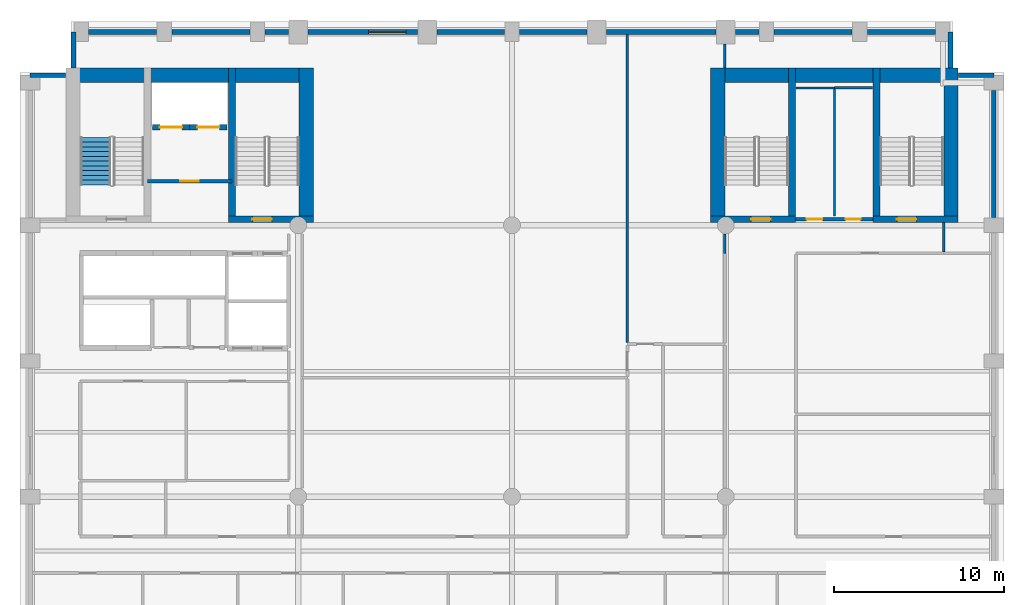
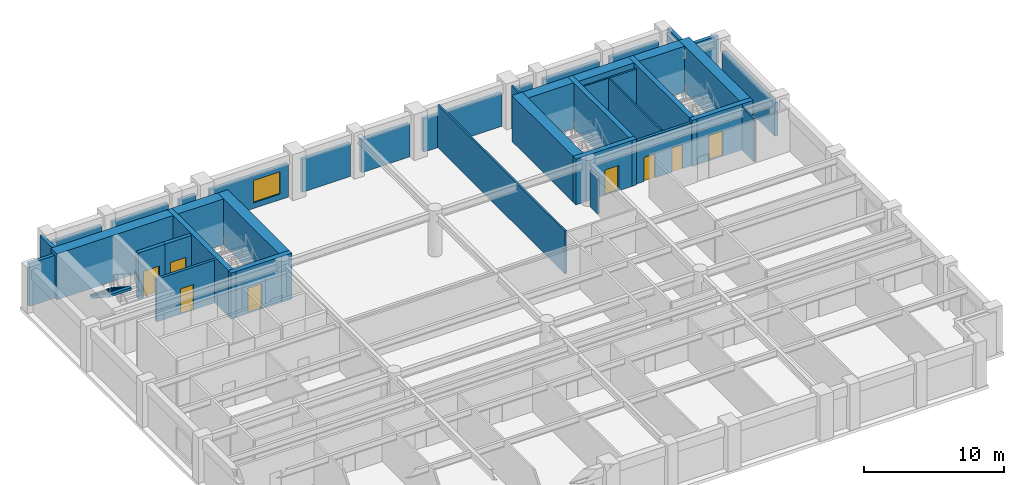
# One storey, part 5 of 8: 37 walls, 8 doors, 1 stair flight, 1 window, 9 openings, 1 element without a shape of its own.
"""IFC4 building model written with IfcOpenShell, lengths in metres."""

from ifc_helpers import new_model, si_unit, direction, frame, frame_2d, origin, place, context, subcontext, project, spatial, polyline, rectangle, outline, extrude, material, layer, layer_set, type_object, element, fill, aggregate, save


model = new_model("IFC4")

# Units and contexts
model_context = context("Model", 3, precision=1e-05, world=origin(), true_north=direction((0.0, 1.0)))
body_context = subcontext(model_context, "Body", "Model", "MODEL_VIEW")
ifc_project = project(units=[si_unit("LENGTHUNIT", "METRE"), si_unit("AREAUNIT", "SQUARE_METRE"), si_unit("VOLUMEUNIT", "CUBIC_METRE"), si_unit("PLANEANGLEUNIT", "RADIAN"), si_unit("MASSUNIT", "GRAM", prefix="KILO")], contexts=[model_context])

# Site, building, storey
site_placement = place(None, origin())
site = spatial("IfcSite", under=ifc_project, at=site_placement, CompositionType="ELEMENT")
building_placement = place(site_placement, origin())
building = spatial("IfcBuilding", under=site, at=building_placement, Name="Sulina Concourse Tower", CompositionType="ELEMENT")
storey_placement = place(building_placement, frame((0.0, 0.0, 148.60009765625)))
storey = spatial("IfcBuildingStorey", under=building, at=storey_placement, Name="L36", CompositionType="ELEMENT", Elevation=148.60009765625)

# Wall, opening, door
ifc_material_1 = material(Name="Concrete C50/60", Category="concrete")
ifc_layer_1 = layer(ifc_material_1, 0.300048828125)
ifc_layer_set_1 = layer_set([ifc_layer_1], Name="Concrete C50/60")
wall_type_1 = type_object("IfcWallType", Name="Core Lift Hoistway Wall 300mm", PredefinedType="SOLIDWALL", material=ifc_layer_set_1)
wall_1_placement = place(storey_placement, frame((10.0, 39.780029296875, 0.0), z_axis=(0.0, 0.0, 1.0), x_axis=(-1.0, 0.0, 0.0)))
wall_1 = element("IfcWall", 1, at=wall_1_placement, inside=storey, type_object=wall_type_1, Name="L36 hoistway enclosure wall FFL-1", PredefinedType="SOLIDWALL", context=body_context, shape_type="SweptSolid", body=[
    extrude(rectangle(XDim=2.199951171875, YDim=0.300048828125, at=frame_2d((1.10009765625, 0.0))), origin(), (0.0, 0.0, 1.0), 4.0),
])
opening_1_placement = place(wall_1_placement, frame((0.449951171875, 0.0, 0.0)))
opening_1 = element("IfcOpeningElement", 2, at=opening_1_placement, cuts=wall_1, Name="Opening LD-02", PredefinedType="OPENING", context=body_context, shape_type="SweptSolid", body=[
    extrude(rectangle(XDim=1.300048828125, YDim=2.25, at=frame_2d((0.64990234375, 1.125))), frame((0.0, 0.159912109375, 0.0), z_axis=(0.0, -1.0, 0.0), x_axis=(1.0, 0.0, 0.0)), (0.0, 0.0, 1.0), 0.320068359375),
])
ifc_material_2 = material(Name="Stainless steel lift landing door", Category="steel")
ifc_layer_2 = layer(ifc_material_2, 0.050048828125)
ifc_layer_set_2 = layer_set([ifc_layer_2], Name="Stainless steel lift landing door")
door_type_1 = type_object("IfcDoorType", Name="Firefighting Lift Sliding Landing Door 1300x2250", OperationType="SLIDING_TO_RIGHT", PredefinedType="DOOR", material=ifc_layer_set_2)
door_1_placement = place(opening_1_placement, origin())
door_1 = element("IfcDoor", 3, at=door_1_placement, inside=storey, type_object=door_type_1, Name="L36 lift landing sliding door FFL-1", OperationType="SLIDING_TO_LEFT", OverallHeight=2.25, OverallWidth=1.300048828125, PredefinedType="DOOR", context=body_context, shape_type="SweptSolid", body=[
    extrude(rectangle(XDim=1.300048828125, YDim=2.25, at=frame_2d((0.64990234375, 1.125))), frame((0.0, 0.02490234375, 0.0), z_axis=(0.0, -1.0, 0.0), x_axis=(1.0, 0.0, 0.0)), (0.0, 0.0, 1.0), 0.050048828125),
])
fill(opening_1, door_1)

wall_2_placement = place(storey_placement, frame((12.199951171875, 39.780029296875, 0.0), z_axis=(0.0, 0.0, 1.0), x_axis=(-1.0, 0.0, 0.0)))
wall_2 = element("IfcWall", 4, at=wall_2_placement, inside=storey, type_object=wall_type_1, Name="L36 hoistway enclosure wall FFL-2", PredefinedType="SOLIDWALL", context=body_context, shape_type="SweptSolid", body=[
    extrude(rectangle(XDim=2.199951171875, YDim=0.300048828125, at=frame_2d((1.10009765625, 0.0))), origin(), (0.0, 0.0, 1.0), 4.0),
])
opening_2_placement = place(wall_2_placement, frame((0.449951171875, 0.0, 0.0)))
opening_2 = element("IfcOpeningElement", 5, at=opening_2_placement, cuts=wall_2, Name="Opening LD-02", PredefinedType="OPENING", context=body_context, shape_type="SweptSolid", body=[
    extrude(rectangle(XDim=1.300048828125, YDim=2.25, at=frame_2d((0.64990234375, 1.125))), frame((0.0, 0.159912109375, 0.0), z_axis=(0.0, -1.0, 0.0), x_axis=(1.0, 0.0, 0.0)), (0.0, 0.0, 1.0), 0.320068359375),
])
door_2_placement = place(opening_2_placement, origin())
door_2 = element("IfcDoor", 6, at=door_2_placement, inside=storey, type_object=door_type_1, Name="L36 lift landing sliding door FFL-2", OperationType="SLIDING_TO_RIGHT", OverallHeight=2.25, OverallWidth=1.300048828125, PredefinedType="DOOR", context=body_context, shape_type="SweptSolid", body=[
    extrude(rectangle(XDim=1.300048828125, YDim=2.25, at=frame_2d((0.64990234375, 1.125))), frame((0.0, 0.02490234375, 0.0), z_axis=(0.0, -1.0, 0.0), x_axis=(1.0, 0.0, 0.0)), (0.0, 0.0, 1.0), 0.050048828125),
])
fill(opening_2, door_2)

ifc_material_3 = material(Name="Gypsum board on steel stud", Category="steel")
ifc_layer_3 = layer(ifc_material_3, 0.219970703125)
ifc_layer_set_3 = layer_set([ifc_layer_3], Name="Gypsum board on steel stud")
wall_type_2 = type_object("IfcWallType", Name="Fire-Rated Lobby & Compartment Wall 220mm", PredefinedType="PARTITIONING", material=ifc_layer_set_3)
wall_3_placement = place(storey_placement, frame((7.510009765625, 36.60009765625, 0.0), z_axis=(0.0, 0.0, 1.0), x_axis=(1.0, 0.0, 0.0)))
wall_3 = element("IfcWall", 7, at=wall_3_placement, inside=storey, type_object=wall_type_2, Name="L36 firefighting lobby south fire wall", PredefinedType="PARTITIONING", context=body_context, shape_type="SweptSolid", body=[
    extrude(rectangle(XDim=4.97998046875, YDim=0.219970703125, at=frame_2d((2.489990234375, 0.0))), origin(), (0.0, 0.0, 1.0), 3.724853515625),
])
opening_3_placement = place(wall_3_placement, frame((1.93994140625, 0.0, 0.0)))
opening_3 = element("IfcOpeningElement", 8, at=opening_3_placement, cuts=wall_3, Name="Opening DR-47", PredefinedType="OPENING", context=body_context, shape_type="SweptSolid", body=[
    extrude(rectangle(XDim=1.10009765625, YDim=2.199951171875, at=frame_2d((0.550048828125, 1.10009765625))), frame((0.0, 0.119873046875, 0.0), z_axis=(0.0, -1.0, 0.0), x_axis=(1.0, 0.0, 0.0)), (0.0, 0.0, 1.0), 0.239990234375),
])
ifc_material_4 = material(Name="Galvanised steel acoustic fire leaf", Category="steel")
ifc_layer_4 = layer(ifc_material_4, 0.054931640625)
ifc_layer_set_4 = layer_set([ifc_layer_4], Name="Galvanised steel acoustic fire leaf")
door_type_2 = type_object("IfcDoorType", Name="Firefighting Lobby Fire Door 1100x2200", OperationType="NOTDEFINED", PredefinedType="DOOR", material=ifc_layer_set_4)
door_3_placement = place(opening_3_placement, origin())
door_3 = element("IfcDoor", 9, at=door_3_placement, inside=storey, type_object=door_type_2, Name="L36 firefighting lobby fire door", OperationType="SINGLE_SWING_LEFT", OverallHeight=2.199951171875, OverallWidth=1.10009765625, PredefinedType="DOOR", context=body_context, shape_type="SweptSolid", body=[
    extrude(rectangle(XDim=1.10009765625, YDim=2.199951171875, at=frame_2d((0.550048828125, 1.10009765625))), frame((0.0, 0.02490234375, 0.0), z_axis=(0.0, -1.0, 0.0), x_axis=(1.0, 0.0, 0.0)), (0.0, 0.0, 1.0), 0.050048828125),
])
fill(opening_3, door_3)

# Wall, openings, doors
wall_4_placement = place(storey_placement, frame((45.719970703125, 34.35009765625, 0.0), z_axis=(0.0, 0.0, 1.0), x_axis=(1.0, 0.0, 0.0)))
wall_4 = element("IfcWall", 10, at=wall_4_placement, inside=storey, type_object=wall_type_2, Name="L36 east core south lobby wall", PredefinedType="PARTITIONING", context=body_context, shape_type="SweptSolid", body=[
    extrude(rectangle(XDim=4.56005859375, YDim=0.219970703125, at=frame_2d((2.280029296875, 0.0))), origin(), (0.0, 0.0, 1.0), 3.724853515625),
])
opening_4_placement = place(wall_4_placement, frame((0.64990234375, 0.0, 0.0)))
opening_4 = element("IfcOpeningElement", 11, at=opening_4_placement, cuts=wall_4, Name="Opening DR-61", PredefinedType="OPENING", context=body_context, shape_type="SweptSolid", body=[
    extrude(rectangle(XDim=0.919921875, YDim=2.10009765625, at=frame_2d((0.4599609375, 1.050048828125))), frame((0.0, 0.119873046875, 0.0), z_axis=(0.0, -1.0, 0.0), x_axis=(1.0, 0.0, 0.0)), (0.0, 0.0, 1.0), 0.239990234375),
])
opening_5_placement = place(wall_4_placement, frame((2.949951171875, 0.0, 0.0)))
opening_5 = element("IfcOpeningElement", 12, at=opening_5_placement, cuts=wall_4, Name="Opening DR-38", PredefinedType="OPENING", context=body_context, shape_type="SweptSolid", body=[
    extrude(rectangle(XDim=0.8798828125, YDim=2.10009765625, at=frame_2d((0.43994140625, 1.050048828125))), frame((0.0, 0.119873046875, 0.0), z_axis=(0.0, -1.0, 0.0), x_axis=(1.0, 0.0, 0.0)), (0.0, 0.0, 1.0), 0.239990234375),
])
ifc_material_5 = material(Name="Oak-veneered fire door leaf")
ifc_layer_5 = layer(ifc_material_5, 0.050048828125)
ifc_layer_set_5 = layer_set([ifc_layer_5], Name="Oak-veneered fire door leaf")
door_type_3 = type_object("IfcDoorType", Name="Accessible WC Door 920x2100", OperationType="NOTDEFINED", PredefinedType="DOOR", material=ifc_layer_set_5)
door_4_placement = place(opening_4_placement, origin())
door_4 = element("IfcDoor", 13, at=door_4_placement, inside=storey, type_object=door_type_3, Name="L36 east core accessible wc door", OperationType="SINGLE_SWING_LEFT", OverallHeight=2.10009765625, OverallWidth=0.919921875, PredefinedType="DOOR", context=body_context, shape_type="SweptSolid", body=[
    extrude(rectangle(XDim=0.919921875, YDim=2.10009765625, at=frame_2d((0.4599609375, 1.050048828125))), frame((0.0, 0.02490234375, 0.0), z_axis=(0.0, -1.0, 0.0), x_axis=(1.0, 0.0, 0.0)), (0.0, 0.0, 1.0), 0.050048828125),
])
fill(opening_4, door_4)
ifc_material_6 = material(Name="Galvanised steel acoustic fire leaf", Category="steel")
ifc_layer_6 = layer(ifc_material_6, 0.050048828125)
ifc_layer_set_6 = layer_set([ifc_layer_6], Name="Galvanised steel acoustic fire leaf")
door_type_4 = type_object("IfcDoorType", Name="Service Riser Fire Door 880x2100", OperationType="NOTDEFINED", PredefinedType="DOOR", material=ifc_layer_set_6)
door_5_placement = place(opening_5_placement, origin())
door_5 = element("IfcDoor", 14, at=door_5_placement, inside=storey, type_object=door_type_4, Name="L36 east core store door", OperationType="SINGLE_SWING_RIGHT", OverallHeight=2.10009765625, OverallWidth=0.8798828125, PredefinedType="DOOR", context=body_context, shape_type="SweptSolid", body=[
    extrude(rectangle(XDim=0.8798828125, YDim=2.10009765625, at=frame_2d((0.43994140625, 1.050048828125))), frame((0.0, 0.02490234375, 0.0), z_axis=(0.0, -1.0, 0.0), x_axis=(1.0, 0.0, 0.0)), (0.0, 0.0, 1.0), 0.050048828125),
])
fill(opening_5, door_5)

# Walls
ifc_material_7 = material(Name="Gypsum board on steel stud", Category="steel")
ifc_layer_7 = layer(ifc_material_7, 0.14990234375)
ifc_layer_set_7 = layer_set([ifc_layer_7], Name="Gypsum board on steel stud")
wall_type_3 = type_object("IfcWallType", Name="Inter-Tenancy Acoustic Partition 150mm", PredefinedType="PARTITIONING", material=ifc_layer_set_7)
wall_5_placement = place(storey_placement, frame((48.0, 42.10009765625, 0.0), z_axis=(0.0, 0.0, 1.0), x_axis=(1.0, 0.0, 0.0)))
element("IfcWall", 15, at=wall_5_placement, inside=storey, type_object=wall_type_3, Name="L36 interior partition 031", PredefinedType="PARTITIONING", context=body_context, shape_type="SweptSolid", body=[
    extrude(rectangle(XDim=2.25, YDim=0.14990234375, at=frame_2d((1.125, 0.0))), origin(), (0.0, 0.0, 1.0), 3.724853515625),
])
wall_6_placement = place(storey_placement, frame((35.800048828125, 27.090087890625, 0.0), z_axis=(0.0, 0.0, 1.0), x_axis=(0.0, 1.0, 0.0)))
element("IfcWall", 16, at=wall_6_placement, inside=storey, type_object=wall_type_3, Name="L36 interior partition 051", PredefinedType="PARTITIONING", context=body_context, shape_type="SweptSolid", body=[
    extrude(rectangle(XDim=18.169921875, YDim=0.14990234375, at=frame_2d((9.0849609375, 0.0))), origin(), (0.0, 0.0, 1.0), 3.724853515625),
])
wall_7_placement = place(storey_placement, frame((41.550048828125, 32.35009765625, 0.0), z_axis=(0.0, 0.0, 1.0), x_axis=(0.0, 1.0, 0.0)))
element("IfcWall", 17, at=wall_7_placement, inside=storey, type_object=wall_type_3, Name="L36 interior partition 057", PredefinedType="PARTITIONING", context=body_context, shape_type="SweptSolid", body=[
    extrude(rectangle(XDim=1.14990234375, YDim=0.14990234375, at=frame_2d((0.574951171875, 0.0))), origin(), (0.0, 0.0, 1.0), 3.06982421875),
])
wall_8_placement = place(storey_placement, frame((41.550048828125, 43.280029296875, 0.0), z_axis=(0.0, 0.0, 1.0), x_axis=(0.0, 1.0, 0.0)))
element("IfcWall", 18, at=wall_8_placement, inside=storey, type_object=wall_type_3, Name="L36 interior partition 058", PredefinedType="PARTITIONING", context=body_context, shape_type="SweptSolid", body=[
    extrude(rectangle(XDim=1.419921875, YDim=0.14990234375, at=frame_2d((0.7099609375, 0.0))), origin(), (0.0, 0.0, 1.0), 3.724853515625),
])
wall_9_placement = place(storey_placement, frame((54.449951171875, 32.425048828125, 0.0), z_axis=(0.0, 0.0, 1.0), x_axis=(0.0, 1.0, 0.0)))
element("IfcWall", 19, at=wall_9_placement, inside=storey, type_object=wall_type_3, Name="L36 interior partition 064", PredefinedType="PARTITIONING", context=body_context, shape_type="SweptSolid", body=[
    extrude(rectangle(XDim=1.724853515625, YDim=0.14990234375, at=frame_2d((0.8623046875, 0.0))), origin(), (0.0, 0.0, 1.0), 3.724853515625),
])

# Wall, opening, door
ifc_material_8 = material(Name="Concrete C60/75", Category="concrete")
ifc_layer_8 = layer(ifc_material_8, 0.39990234375)
ifc_layer_set_8 = layer_set([ifc_layer_8], Name="Concrete C60/75")
wall_type_4 = type_object("IfcWallType", Name="Protected Stair Core Shear Wall 400mm", PredefinedType="SHEAR", material=ifc_layer_set_8)
wall_10_placement = place(storey_placement, frame((12.2900390625, 34.35009765625, 0.0), z_axis=(0.0, 0.0, 1.0), x_axis=(1.0, 0.0, 0.0)))
wall_10 = element("IfcWall", 20, at=wall_10_placement, inside=storey, type_object=wall_type_4, Name="L36 west core shear wall CW-WS2", PredefinedType="SHEAR", context=body_context, shape_type="SweptSolid", body=[
    extrude(rectangle(XDim=5.010009765625, YDim=0.39990234375, at=frame_2d((2.5048828125, 0.0))), origin(), (0.0, 0.0, 1.0), 4.0),
])
opening_6_placement = place(wall_10_placement, frame((1.39990234375, 0.0, 0.0)))
opening_6 = element("IfcOpeningElement", 21, at=opening_6_placement, cuts=wall_10, Name="Opening DR-60", PredefinedType="OPENING", context=body_context, shape_type="SweptSolid", body=[
    extrude(rectangle(XDim=1.14990234375, YDim=2.199951171875, at=frame_2d((0.574951171875, 1.10009765625))), frame((0.0, 0.2099609375, 0.0), z_axis=(0.0, -1.0, 0.0), x_axis=(1.0, 0.0, 0.0)), (0.0, 0.0, 1.0), 0.419921875),
])
ifc_material_9 = material(Name="Galvanised steel acoustic fire leaf", Category="steel")
ifc_layer_9 = layer(ifc_material_9, 0.054931640625)
ifc_layer_set_9 = layer_set([ifc_layer_9], Name="Galvanised steel acoustic fire leaf")
door_type_5 = type_object("IfcDoorType", Name="Protected Exit Stair Fire Door 1150x2200", OperationType="NOTDEFINED", PredefinedType="DOOR", material=ifc_layer_set_9)
door_6_placement = place(opening_6_placement, origin())
door_6 = element("IfcDoor", 22, at=door_6_placement, inside=storey, type_object=door_type_5, Name="L36 stair ST-2 lobby fire door", OperationType="SINGLE_SWING_RIGHT", OverallHeight=2.199951171875, OverallWidth=1.14990234375, PredefinedType="DOOR", context=body_context, shape_type="SweptSolid", body=[
    extrude(rectangle(XDim=1.14990234375, YDim=2.199951171875, at=frame_2d((0.574951171875, 1.10009765625))), frame((0.0, 0.02490234375, 0.0), z_axis=(0.0, -1.0, 0.0), x_axis=(1.0, 0.0, 0.0)), (0.0, 0.0, 1.0), 0.050048828125),
])
fill(opening_6, door_6)

# Wall
wall_11_placement = place(storey_placement, frame((12.489990234375, 34.14990234375, 0.0), z_axis=(0.0, 0.0, 1.0), x_axis=(0.0, 1.0, 0.0)))
element("IfcWall", 23, at=wall_11_placement, inside=storey, type_object=wall_type_4, Name="L36 west core shear wall SW-ST2", PredefinedType="SHEAR", context=body_context, shape_type="SweptSolid", body=[
    extrude(rectangle(XDim=9.130126953125, YDim=0.39990234375, at=frame_2d((4.56494140625, 0.0))), origin(), (0.0, 0.0, 1.0), 4.0),
])

# Wall, opening, door
wall_12_placement = place(storey_placement, frame((40.699951171875, 34.35009765625, 0.0), z_axis=(0.0, 0.0, 1.0), x_axis=(1.0, 0.0, 0.0)))
wall_12 = element("IfcWall", 24, at=wall_12_placement, inside=storey, type_object=wall_type_4, Name="L36 east core shear wall CW-ES1", PredefinedType="SHEAR", context=body_context, shape_type="SweptSolid", body=[
    extrude(rectangle(XDim=5.010009765625, YDim=0.39990234375, at=frame_2d((2.5048828125, 0.0))), origin(), (0.0, 0.0, 1.0), 4.0),
])
opening_7_placement = place(wall_12_placement, frame((2.39990234375, 0.0, 0.0)))
opening_7 = element("IfcOpeningElement", 25, at=opening_7_placement, cuts=wall_12, Name="Opening DR-60", PredefinedType="OPENING", context=body_context, shape_type="SweptSolid", body=[
    extrude(rectangle(XDim=1.14990234375, YDim=2.199951171875, at=frame_2d((0.574951171875, 1.10009765625))), frame((0.0, 0.2099609375, 0.0), z_axis=(0.0, -1.0, 0.0), x_axis=(1.0, 0.0, 0.0)), (0.0, 0.0, 1.0), 0.419921875),
])
door_7_placement = place(opening_7_placement, origin())
door_7 = element("IfcDoor", 26, at=door_7_placement, inside=storey, type_object=door_type_5, Name="L36 stair ST-3 south lobby fire door", OperationType="SINGLE_SWING_RIGHT", OverallHeight=2.199951171875, OverallWidth=1.14990234375, PredefinedType="DOOR", context=body_context, shape_type="SweptSolid", body=[
    extrude(rectangle(XDim=1.14990234375, YDim=2.199951171875, at=frame_2d((0.574951171875, 1.10009765625))), frame((0.0, 0.02490234375, 0.0), z_axis=(0.0, -1.0, 0.0), x_axis=(1.0, 0.0, 0.0)), (0.0, 0.0, 1.0), 0.050048828125),
])
fill(opening_7, door_7)

# Wall
wall_13_placement = place(storey_placement, frame((45.510009765625, 34.14990234375, 0.0), z_axis=(0.0, 0.0, 1.0), x_axis=(0.0, 1.0, 0.0)))
element("IfcWall", 27, at=wall_13_placement, inside=storey, type_object=wall_type_4, Name="L36 east core shear wall SW-ST3", PredefinedType="SHEAR", context=body_context, shape_type="SweptSolid", body=[
    extrude(rectangle(XDim=9.130126953125, YDim=0.39990234375, at=frame_2d((4.56494140625, 0.0))), origin(), (0.0, 0.0, 1.0), 4.0),
])

# Wall, opening, door
wall_14_placement = place(storey_placement, frame((50.2900390625, 34.35009765625, 0.0), z_axis=(0.0, 0.0, 1.0), x_axis=(1.0, 0.0, 0.0)))
wall_14 = element("IfcWall", 28, at=wall_14_placement, inside=storey, type_object=wall_type_4, Name="L36 east core shear wall CW-ES2", PredefinedType="SHEAR", context=body_context, shape_type="SweptSolid", body=[
    extrude(rectangle(XDim=5.010009765625, YDim=0.39990234375, at=frame_2d((2.5048828125, 0.0))), origin(), (0.0, 0.0, 1.0), 4.0),
])
opening_8_placement = place(wall_14_placement, frame((1.39990234375, 0.0, 0.0)))
opening_8 = element("IfcOpeningElement", 29, at=opening_8_placement, cuts=wall_14, Name="Opening DR-60", PredefinedType="OPENING", context=body_context, shape_type="SweptSolid", body=[
    extrude(rectangle(XDim=1.14990234375, YDim=2.199951171875, at=frame_2d((0.574951171875, 1.10009765625))), frame((0.0, 0.2099609375, 0.0), z_axis=(0.0, -1.0, 0.0), x_axis=(1.0, 0.0, 0.0)), (0.0, 0.0, 1.0), 0.419921875),
])
door_8_placement = place(opening_8_placement, origin())
door_8 = element("IfcDoor", 30, at=door_8_placement, inside=storey, type_object=door_type_5, Name="L36 stair ST-4 south lobby fire door", OperationType="SINGLE_SWING_LEFT", OverallHeight=2.199951171875, OverallWidth=1.14990234375, PredefinedType="DOOR", context=body_context, shape_type="SweptSolid", body=[
    extrude(rectangle(XDim=1.14990234375, YDim=2.199951171875, at=frame_2d((0.574951171875, 1.10009765625))), frame((0.0, 0.02490234375, 0.0), z_axis=(0.0, -1.0, 0.0), x_axis=(1.0, 0.0, 0.0)), (0.0, 0.0, 1.0), 0.050048828125),
])
fill(opening_8, door_8)

# Walls
wall_15_placement = place(storey_placement, frame((50.489990234375, 34.14990234375, 0.0), z_axis=(0.0, 0.0, 1.0), x_axis=(0.0, 1.0, 0.0)))
element("IfcWall", 31, at=wall_15_placement, inside=storey, type_object=wall_type_4, Name="L36 east core shear wall SW-ST4", PredefinedType="SHEAR", context=body_context, shape_type="SweptSolid", body=[
    extrude(rectangle(XDim=9.130126953125, YDim=0.39990234375, at=frame_2d((4.56494140625, 0.0))), origin(), (0.0, 0.0, 1.0), 4.0),
])
ifc_material_10 = material(Name="Concrete C60/75", Category="concrete")
ifc_layer_10 = layer(ifc_material_10, 0.85009765625)
ifc_layer_set_10 = layer_set([ifc_layer_10], Name="Concrete C60/75")
wall_type_5 = type_object("IfcWallType", Name="Rear Core Shear Wall 850mm", PredefinedType="SHEAR", material=ifc_layer_set_10)
wall_16_placement = place(storey_placement, frame((2.699951171875, 42.85498046875, 0.0), z_axis=(0.0, 0.0, 1.0), x_axis=(1.0, 0.0, 0.0)))
element("IfcWall", 32, at=wall_16_placement, inside=storey, type_object=wall_type_5, Name="L36 west core shear wall CW-WN", PredefinedType="SHEAR", context=body_context, shape_type="SweptSolid", body=[
    extrude(rectangle(XDim=14.60009765625, YDim=0.85009765625, at=frame_2d((7.300048828125, 0.0))), origin(), (0.0, 0.0, 1.0), 4.0),
])
wall_17_placement = place(storey_placement, frame((16.875, 34.14990234375, 0.0), z_axis=(0.0, 0.0, 1.0), x_axis=(0.0, 1.0, 0.0)))
element("IfcWall", 33, at=wall_17_placement, inside=storey, type_object=wall_type_5, Name="L36 west core shear wall CW-WE", PredefinedType="SHEAR", context=body_context, shape_type="SweptSolid", body=[
    extrude(rectangle(XDim=9.130126953125, YDim=0.85009765625, at=frame_2d((4.56494140625, 0.0))), origin(), (0.0, 0.0, 1.0), 4.0),
])
wall_18_placement = place(storey_placement, frame((40.699951171875, 42.85498046875, 0.0), z_axis=(0.0, 0.0, 1.0), x_axis=(1.0, 0.0, 0.0)))
element("IfcWall", 34, at=wall_18_placement, inside=storey, type_object=wall_type_5, Name="L36 east core shear wall CW-EN", PredefinedType="SHEAR", context=body_context, shape_type="SweptSolid", body=[
    extrude(rectangle(XDim=14.60009765625, YDim=0.85009765625, at=frame_2d((7.300048828125, 0.0))), origin(), (0.0, 0.0, 1.0), 4.0),
])
for number, where, z_axis, x_axis, name in (
    (35, (41.125, 34.14990234375, 0.0), (0.0, 0.0, 1.0), (0.0, 1.0, 0.0), "L36 east core shear wall CW-EW"),
    (36, (54.875, 34.14990234375, 0.0), (0.0, 0.0, 1.0), (0.0, 1.0, 0.0), "L36 east core shear wall CW-EE"),
):
    element("IfcWall", number, at=place(storey_placement, frame(where, z_axis=z_axis, x_axis=x_axis)), inside=storey, type_object=wall_type_5, Name=name, PredefinedType="SHEAR", context=body_context, shape_type="SweptSolid", body=[
        extrude(rectangle(XDim=9.130126953125, YDim=0.85009765625, at=frame_2d((4.56494140625, 0.0))), origin(), (0.0, 0.0, 1.0), 4.0),
    ])
ifc_material_11 = material(Name="Precast concrete C50/60", Category="concrete")
ifc_layer_11 = layer(ifc_material_11, 0.280029296875)
ifc_layer_set_11 = layer_set([ifc_layer_11], Name="Precast concrete C50/60")
wall_type_6 = type_object("IfcWallType", Name="Typical Precast Masonry-Frame Facade Wall 280mm", PredefinedType="SOLIDWALL", material=ifc_layer_set_11)
wall_19_placement = place(storey_placement, frame((4.044921875, 45.39990234375, 0.0), z_axis=(0.0, 0.0, 1.0), x_axis=(1.0, 0.0, 0.0)))
element("IfcWall", 37, at=wall_19_placement, inside=storey, type_object=wall_type_6, Name="L36 exterior precast wall N1", PredefinedType="SOLIDWALL", context=body_context, shape_type="SweptSolid", body=[
    extrude(rectangle(XDim=4.010009765625, YDim=0.280029296875, at=frame_2d((2.0048828125, 0.0))), origin(), (0.0, 0.0, 1.0), 2.875),
])
wall_20_placement = place(storey_placement, frame((8.945068359375, 45.39990234375, 0.0), z_axis=(0.0, 0.0, 1.0), x_axis=(1.0, 0.0, 0.0)))
element("IfcWall", 38, at=wall_20_placement, inside=storey, type_object=wall_type_6, Name="L36 exterior precast wall N2", PredefinedType="SOLIDWALL", context=body_context, shape_type="SweptSolid", body=[
    extrude(rectangle(XDim=4.60986328125, YDim=0.280029296875, at=frame_2d((2.304931640625, 0.0))), origin(), (0.0, 0.0, 1.0), 2.875),
])
wall_21_placement = place(storey_placement, frame((14.445068359375, 45.39990234375, 0.0), z_axis=(0.0, 0.0, 1.0), x_axis=(1.0, 0.0, 0.0)))
element("IfcWall", 39, at=wall_21_placement, inside=storey, type_object=wall_type_6, Name="L36 exterior precast wall N3", PredefinedType="SOLIDWALL", context=body_context, shape_type="SweptSolid", body=[
    extrude(rectangle(XDim=1.385009765625, YDim=0.280029296875, at=frame_2d((0.6923828125, 0.0))), origin(), (0.0, 0.0, 1.0), 2.875),
])

# Wall, opening, window
wall_22_placement = place(storey_placement, frame((16.969970703125, 45.39990234375, 0.0), z_axis=(0.0, 0.0, 1.0), x_axis=(1.0, 0.0, 0.0)))
wall_22 = element("IfcWall", 40, at=wall_22_placement, inside=storey, type_object=wall_type_6, Name="L36 exterior precast wall N4", PredefinedType="SOLIDWALL", context=body_context, shape_type="SweptSolid", body=[
    extrude(rectangle(XDim=6.4599609375, YDim=0.280029296875, at=frame_2d((3.22998046875, 0.0))), origin(), (0.0, 0.0, 1.0), 2.875),
])
opening_9_placement = place(wall_22_placement, frame((3.5732421875, 0.0, 0.5)))
opening_9 = element("IfcOpeningElement", 41, at=opening_9_placement, cuts=wall_22, Name="Opening WN-76", PredefinedType="OPENING", context=body_context, shape_type="SweptSolid", body=[
    extrude(rectangle(XDim=2.199951171875, YDim=1.949951171875, at=frame_2d((1.10009765625, 0.97509765625))), frame((0.0, 0.14990234375, 0.0), z_axis=(0.0, -1.0, 0.0), x_axis=(1.0, 0.0, 0.0)), (0.0, 0.0, 1.0), 0.300048828125),
])
ifc_material_12 = material(Name="Low-E solar double glazing in bronze aluminium", Category="aluminium")
window_type = type_object("IfcWindowType", Name="Recessed Spandrel Window 2200x1950", PartitioningType="DOUBLE_PANEL_VERTICAL", PredefinedType="WINDOW", material=ifc_material_12)
window_placement = place(opening_9_placement, origin())
window = element("IfcWindow", 42, at=window_placement, inside=storey, type_object=window_type, Name="L36 punched window N4-1", OverallHeight=1.949951171875, OverallWidth=2.199951171875, PartitioningType="SINGLE_PANEL", PredefinedType="WINDOW", context=body_context, shape_type="SweptSolid", body=[
    extrude(rectangle(XDim=2.199951171875, YDim=1.949951171875, at=frame_2d((1.10009765625, 0.97509765625))), frame((0.0, 0.030029296875, 0.0), z_axis=(0.0, -1.0, 0.0), x_axis=(1.0, 0.0, 0.0)), (0.0, 0.0, 1.0), 0.06005859375),
])
fill(opening_9, window)

# Walls
for number, where, z_axis, x_axis, name in (
    (43, (24.570068359375, 45.39990234375, 0.0), (0.0, 0.0, 1.0), (1.0, 0.0, 0.0), "L36 exterior precast wall N5"),
    (44, (29.445068359375, 45.39990234375, 0.0), (0.0, 0.0, 1.0), (1.0, 0.0, 0.0), "L36 exterior precast wall N6"),
):
    element("IfcWall", number, at=place(storey_placement, frame(where, z_axis=z_axis, x_axis=x_axis)), inside=storey, type_object=wall_type_6, Name=name, PredefinedType="SOLIDWALL", context=body_context, shape_type="SweptSolid", body=[
        extrude(rectangle(XDim=3.98486328125, YDim=0.280029296875, at=frame_2d((1.992431640625, 0.0))), origin(), (0.0, 0.0, 1.0), 2.875),
    ])
wall_23_placement = place(storey_placement, frame((34.570068359375, 45.39990234375, 0.0), z_axis=(0.0, 0.0, 1.0), x_axis=(1.0, 0.0, 0.0)))
element("IfcWall", 45, at=wall_23_placement, inside=storey, type_object=wall_type_6, Name="L36 exterior precast wall N7", PredefinedType="SOLIDWALL", context=body_context, shape_type="SweptSolid", body=[
    extrude(rectangle(XDim=6.4599609375, YDim=0.280029296875, at=frame_2d((3.22998046875, 0.0))), origin(), (0.0, 0.0, 1.0), 2.875),
])
wall_24_placement = place(storey_placement, frame((42.169921875, 45.39990234375, 0.0), z_axis=(0.0, 0.0, 1.0), x_axis=(1.0, 0.0, 0.0)))
element("IfcWall", 46, at=wall_24_placement, inside=storey, type_object=wall_type_6, Name="L36 exterior precast wall N8", PredefinedType="SOLIDWALL", context=body_context, shape_type="SweptSolid", body=[
    extrude(rectangle(XDim=1.385009765625, YDim=0.280029296875, at=frame_2d((0.6923828125, 0.0))), origin(), (0.0, 0.0, 1.0), 2.875),
])
wall_25_placement = place(storey_placement, frame((44.445068359375, 45.39990234375, 0.0), z_axis=(0.0, 0.0, 1.0), x_axis=(1.0, 0.0, 0.0)))
element("IfcWall", 47, at=wall_25_placement, inside=storey, type_object=wall_type_6, Name="L36 exterior precast wall N9", PredefinedType="SOLIDWALL", context=body_context, shape_type="SweptSolid", body=[
    extrude(rectangle(XDim=4.60986328125, YDim=0.280029296875, at=frame_2d((2.304931640625, 0.0))), origin(), (0.0, 0.0, 1.0), 2.875),
])
wall_26_placement = place(storey_placement, frame((49.945068359375, 45.39990234375, 0.0), z_axis=(0.0, 0.0, 1.0), x_axis=(1.0, 0.0, 0.0)))
element("IfcWall", 48, at=wall_26_placement, inside=storey, type_object=wall_type_6, Name="L36 exterior precast wall N10", PredefinedType="SOLIDWALL", context=body_context, shape_type="SweptSolid", body=[
    extrude(rectangle(XDim=4.010009765625, YDim=0.280029296875, at=frame_2d((2.0048828125, 0.0))), origin(), (0.0, 0.0, 1.0), 2.875),
])
wall_27_placement = place(storey_placement, frame((57.39990234375, 41.955078125, 0.0), z_axis=(0.0, 0.0, 1.0), x_axis=(0.0, -1.0, 0.0)))
element("IfcWall", 49, at=wall_27_placement, inside=storey, type_object=wall_type_6, Name="L36 exterior precast wall E5", PredefinedType="SOLIDWALL", context=body_context, shape_type="SweptSolid", body=[
    extrude(rectangle(XDim=7.510009765625, YDim=0.280029296875, at=frame_2d((3.7548828125, 0.0))), origin(), (0.0, 0.0, 1.0), 2.875),
])
wall_28_placement = place(storey_placement, frame((0.60009765625, 42.844970703125, 0.0), z_axis=(0.0, 0.0, 1.0), x_axis=(1.0, 0.0, 0.0)))
element("IfcWall", 50, at=wall_28_placement, inside=storey, type_object=wall_type_6, Name="L36 exterior precast wall CNW1", PredefinedType="SOLIDWALL", context=body_context, shape_type="SweptSolid", body=[
    extrude(rectangle(XDim=2.094970703125, YDim=0.280029296875, at=frame_2d((1.04736328125, 0.0))), origin(), (0.0, 0.0, 1.0), 3.724853515625),
])
for number, where, z_axis, x_axis, name in (
    (51, (3.155029296875, 43.284912109375, 0.0), (0.0, 0.0, 1.0), (0.0, 1.0, 0.0), "L36 exterior precast wall CNW2"),
    (52, (54.844970703125, 45.39990234375, 0.0), (0.0, 0.0, 1.0), (0.0, -1.0, 0.0), "L36 exterior precast wall CNE1"),
):
    element("IfcWall", number, at=place(storey_placement, frame(where, z_axis=z_axis, x_axis=x_axis)), inside=storey, type_object=wall_type_6, Name=name, PredefinedType="SOLIDWALL", context=body_context, shape_type="SweptSolid", body=[
        extrude(rectangle(XDim=2.114990234375, YDim=0.280029296875, at=frame_2d((1.0576171875, 0.0))), origin(), (0.0, 0.0, 1.0), 3.724853515625),
    ])
wall_29_placement = place(storey_placement, frame((55.304931640625, 42.844970703125, 0.0), z_axis=(0.0, 0.0, 1.0), x_axis=(1.0, 0.0, 0.0)))
element("IfcWall", 53, at=wall_29_placement, inside=storey, type_object=wall_type_6, Name="L36 exterior precast wall CNE2", PredefinedType="SOLIDWALL", context=body_context, shape_type="SweptSolid", body=[
    extrude(rectangle(XDim=2.094970703125, YDim=0.280029296875, at=frame_2d((1.04736328125, 0.0))), origin(), (0.0, 0.0, 1.0), 3.724853515625),
])
ifc_material_13 = material(Name="Gypsum board on steel stud", Category="steel")
ifc_layer_12 = layer(ifc_material_13, 0.125)
ifc_layer_set_12 = layer_set([ifc_layer_12], Name="Gypsum board on steel stud")
wall_type_7 = type_object("IfcWallType", Name="Wet-Area Moisture-Resistant Partition 125mm", PredefinedType="PARTITIONING", material=ifc_layer_set_12)
wall_30_placement = place(storey_placement, frame((45.75, 42.10009765625, 0.0), z_axis=(0.0, 0.0, 1.0), x_axis=(1.0, 0.0, 0.0)))
element("IfcWall", 54, at=wall_30_placement, inside=storey, type_object=wall_type_7, Name="L36 interior partition 030", PredefinedType="PARTITIONING", context=body_context, shape_type="SweptSolid", body=[
    extrude(rectangle(XDim=2.25, YDim=0.125, at=frame_2d((1.125, 0.0))), origin(), (0.0, 0.0, 1.0), 3.724853515625),
])
wall_31_placement = place(storey_placement, frame((48.0, 34.550048828125, 0.0), z_axis=(0.0, 0.0, 1.0), x_axis=(0.0, 1.0, 0.0)))
element("IfcWall", 55, at=wall_31_placement, inside=storey, type_object=wall_type_7, Name="L36 interior partition 062", PredefinedType="PARTITIONING", context=body_context, shape_type="SweptSolid", body=[
    extrude(rectangle(XDim=7.474853515625, YDim=0.125, at=frame_2d((3.7373046875, 0.0))), origin(), (0.0, 0.0, 1.0), 3.724853515625),
])

# Stair, stair flight
ifc_material_14 = material(Name="Concrete C50/60", Category="concrete")
stair_type = type_object("IfcStairType", Name="Primary Core Dog-Leg Exit Stair 1800mm", PredefinedType="HALF_TURN_STAIR", material=ifc_material_14)
stair_placement = place(storey_placement, origin())
stair = element("IfcStair", 56, at=stair_placement, inside=storey, type_object=stair_type, Name="L36 ST-1", PredefinedType="HALF_TURN_STAIR")
ifc_material_15 = material(Name="Concrete C50/60", Category="concrete")
stair_flight_type = type_object("IfcStairFlightType", Name="Primary Core Dog-Leg Exit Stair 1800mm Flight", PredefinedType="STRAIGHT", material=ifc_material_15)
stair_flight_placement = place(storey_placement, frame((4.455078125, 39.175048828125, 2.0), z_axis=(0.0, 0.0, 1.0), x_axis=(0.0, -1.0, 0.0)))
stair_flight = element("IfcStairFlight", 57, at=stair_flight_placement, type_object=stair_flight_type, Name="ST-1 flight 2", NumberOfRisers=11, NumberOfTreads=10, PredefinedType="STRAIGHT", RiserHeight=0.181818182, TreadLength=0.28, context=body_context, shape_type="SweptSolid", body=[
    extrude(outline(polyline([(0.0, 0.0), (0.0, 0.181884765625), (0.280029296875, 0.181884765625), (0.280029296875, 0.363525390625), (0.56005859375, 0.363525390625), (0.56005859375, 0.54541015625), (0.840087890625, 0.54541015625), (0.840087890625, 0.727294921875), (1.1201171875, 0.727294921875), (1.1201171875, 0.9091796875), (1.39990234375, 0.9091796875), (1.39990234375, 1.0908203125), (1.679931640625, 1.0908203125), (1.679931640625, 1.272705078125), (1.9599609375, 1.272705078125), (1.9599609375, 1.45458984375), (2.239990234375, 1.45458984375), (2.239990234375, 1.636474609375), (2.52001953125, 1.636474609375), (2.52001953125, 1.818115234375), (2.800048828125, 1.818115234375), (2.800048828125, 2.0), (2.800048828125, 1.603759765625), (0.330322265625, 0.0), (0.0, 0.0)])), frame((0.0, 0.89990234375, 0.0), z_axis=(0.0, -1.0, 0.0), x_axis=(1.0, 0.0, 0.0)), (0.0, 0.0, 1.0), 1.800048828125),
])
aggregate(stair, [stair_flight])

save(model, "model.ifc")
